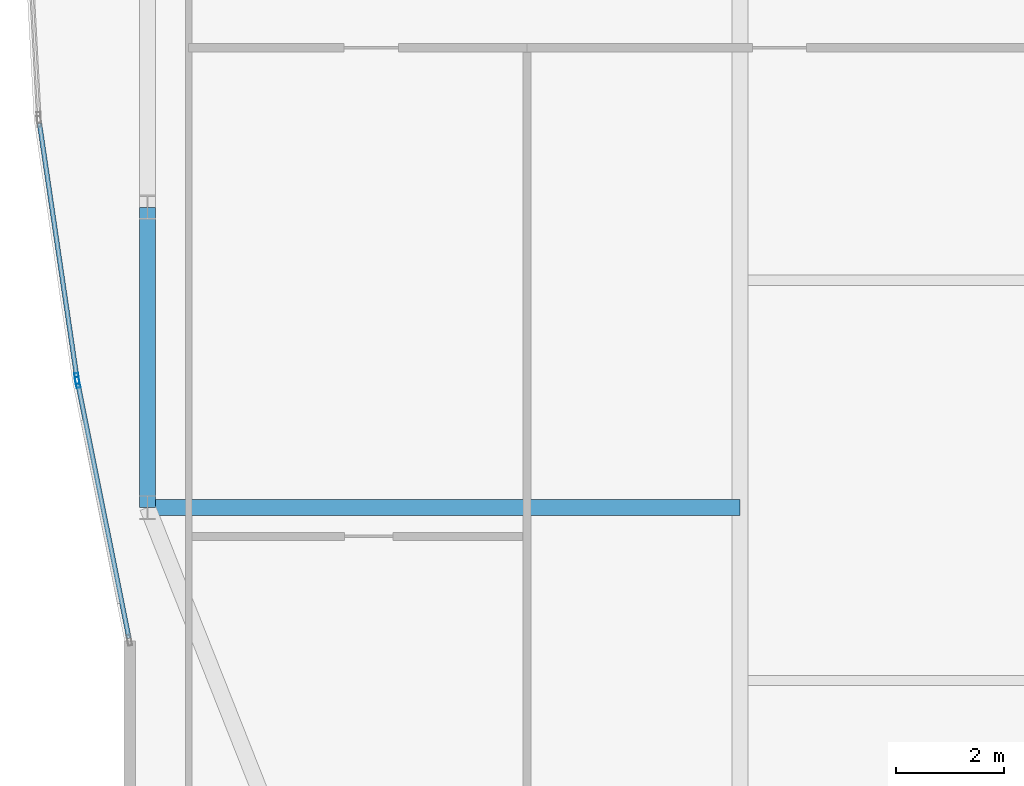
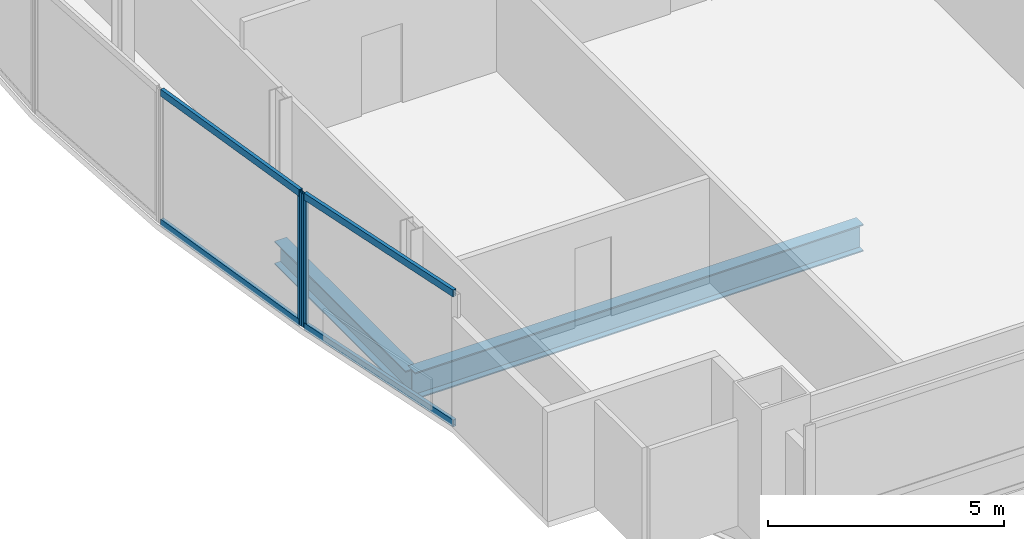
# One storey, part 6 of 30: 6 members, 2 beams, 2 elements without a shape of their own.
"""IFC4 building model written with IfcOpenShell, lengths in metres."""

from ifc_helpers import new_model, si_unit, direction, frame, origin, origin_2d, place, context, subcontext, project, spatial, hollow_rectangle, i_section, extrude, material, material_profile, profile_set, type_object, element, aggregate, save


model = new_model("IFC4")

# Units and contexts
model_context = context("Model", 3, precision=1e-05, world=origin(), true_north=direction((0.0, 1.0)))
body_context = subcontext(model_context, "Body", "Model", "MODEL_VIEW")
ifc_project = project(units=[si_unit("LENGTHUNIT", "METRE"), si_unit("AREAUNIT", "SQUARE_METRE"), si_unit("VOLUMEUNIT", "CUBIC_METRE"), si_unit("PLANEANGLEUNIT", "RADIAN"), si_unit("MASSUNIT", "GRAM", prefix="KILO")], contexts=[model_context])

# Site, building, storey
site_placement = place(None, origin())
site = spatial("IfcSite", under=ifc_project, at=site_placement, CompositionType="ELEMENT")
building_placement = place(site_placement, origin())
building = spatial("IfcBuilding", under=site, at=building_placement, Name="Khoronbel Lancet Exchange", CompositionType="ELEMENT")
storey_placement = place(building_placement, frame((0.0, 0.0, 206.60009765625)))
storey = spatial("IfcBuildingStorey", under=building, at=storey_placement, Name="L52", CompositionType="ELEMENT", Elevation=206.60009765625)

# Beams
ifc_material_1 = material(Name="Steel S355", Category="steel")
ifc_material_profile_1 = material_profile(ifc_material_1, i_section(OverallWidth=0.300048828125, OverallDepth=0.699951171875, WebThickness=0.01708984375, FlangeThickness=0.031982421875, at=origin_2d()), Name="HEB 700")
ifc_profile_set_1 = profile_set([ifc_material_profile_1], Name="Steel S355")
beam_type_1 = type_object("IfcBeamType", Name="BM-BG3", PredefinedType="BEAM", material=ifc_profile_set_1)
beam_1_placement = place(storey_placement, frame((7.27001953125, 19.199951171875, -0.510009765625), z_axis=(1.0, 0.0, 0.0), x_axis=(0.0, 1.0, 0.0)))
element("IfcBeam", 1, at=beam_1_placement, inside=storey, type_object=beam_type_1, Name="Level L52 west lens tie girder LG1W", PredefinedType="BEAM", context=body_context, shape_type="SweptSolid", body=[
    extrude(i_section(OverallWidth=0.300048828125, OverallDepth=0.699951171875, WebThickness=0.01708984375, FlangeThickness=0.031982421875, at=origin_2d()), origin(), (0.0, 0.0, 1.0), 10.955078125),
])
ifc_material_profile_2 = material_profile(ifc_material_1, i_section(OverallWidth=0.300048828125, OverallDepth=0.60009765625, WebThickness=0.015380859375, FlangeThickness=0.030029296875, at=origin_2d()), Name="HEB 600")
ifc_profile_set_2 = profile_set([ifc_material_profile_2], Name="Steel S355")
beam_type_2 = type_object("IfcBeamType", Name="BM-BSP2", PredefinedType="SPANDREL", material=ifc_profile_set_2)
beam_2_placement = place(storey_placement, frame((7.27001953125, 24.75, -0.460205078125), z_axis=(0.0, -1.0, 0.0), x_axis=(1.0, 0.0, 0.0)))
element("IfcBeam", 2, at=beam_2_placement, inside=storey, type_object=beam_type_2, Name="Level L52 perimeter spandrel beam SP20", PredefinedType="SPANDREL", context=body_context, shape_type="SweptSolid", body=[
    extrude(i_section(OverallWidth=0.300048828125, OverallDepth=0.60009765625, WebThickness=0.015380859375, FlangeThickness=0.030029296875, at=origin_2d()), origin(), (0.0, 0.0, 1.0), 5.550048828125),
])

# Curtain wall, member
ifc_material_2 = material(Name="Low-E Solar Control Insulating Glass", Category="glass")
curtain_wall_type = type_object("IfcCurtainWallType", Name="CW-4", PredefinedType="NOTDEFINED", material=ifc_material_2)
curtain_wall_1_placement = place(storey_placement, origin())
curtain_wall_1 = element("IfcCurtainWall", 3, at=curtain_wall_1_placement, inside=storey, type_object=curtain_wall_type, Name="Unitised curtain wall CW-L52-E04", PredefinedType="NOTDEFINED")
ifc_material_3 = material(Name="Bronze-Anodised Aluminium 6063-T6", Category="aluminium")
ifc_material_profile_3 = material_profile(ifc_material_3, hollow_rectangle(XDim=0.074951171875, YDim=0.199951171875, WallThickness=0.0048828125, at=origin_2d()), Name="ALU MULLION 75x200")
ifc_profile_set_3 = profile_set([ifc_material_profile_3], Name="Bronze-Anodised Aluminium 6063-T6")
member_type_1 = type_object("IfcMemberType", Name="MEM-CWM2", PredefinedType="MULLION", material=ifc_profile_set_3)
member_1_placement = place(storey_placement, frame((5.97607421875, 21.511962890625, 0.0), z_axis=(0.0, 0.0, 1.0), x_axis=(-0.980454248694, -0.196747214001, 0.0)))
member_1 = element("IfcMember", 4, at=member_1_placement, type_object=member_type_1, Name="CW4 mullion 2", PredefinedType="MULLION", context=body_context, shape_type="SweptSolid", body=[
    extrude(hollow_rectangle(XDim=0.074951171875, YDim=0.199951171875, WallThickness=0.0048828125, at=origin_2d()), origin(), (0.0, 0.0, 1.0), 3.43994140625),
])

curtain_wall_2_placement = place(storey_placement, origin())
curtain_wall_2 = element("IfcCurtainWall", 5, at=curtain_wall_2_placement, inside=storey, type_object=curtain_wall_type, Name="Unitised curtain wall CW-L52-E05", PredefinedType="NOTDEFINED")
member_2_placement = place(storey_placement, frame((5.96337890625, 21.585693359375, 0.0), z_axis=(0.0, 0.0, 1.0), x_axis=(-0.989378391213, -0.145362990476, 0.0)))
member_2 = element("IfcMember", 6, at=member_2_placement, type_object=member_type_1, Name="CW4 mullion 1", PredefinedType="MULLION", context=body_context, shape_type="SweptSolid", body=[
    extrude(hollow_rectangle(XDim=0.074951171875, YDim=0.199951171875, WallThickness=0.0048828125, at=origin_2d()), origin(), (0.0, 0.0, 1.0), 3.43994140625),
])

# Member
ifc_material_profile_4 = material_profile(ifc_material_3, hollow_rectangle(XDim=0.0849609375, YDim=0.179931640625, WallThickness=0.0048828125, at=origin_2d()), Name="ALU TRANSOM 85x180")
ifc_profile_set_4 = profile_set([ifc_material_profile_4], Name="Bronze-Anodised Aluminium 6063-T6")
member_type_2 = type_object("IfcMemberType", Name="MEM-CWT1", PredefinedType="USERDEFINED", material=ifc_profile_set_4)
member_3_placement = place(storey_placement, frame((6.92529296875, 16.782470703125, 0.04248046875), z_axis=(-0.196743905015, 0.980454912701, 0.0), x_axis=(-0.980454912701, -0.196743905015, 0.0)))
member_3 = element("IfcMember", 7, at=member_3_placement, type_object=member_type_2, Name="CW4 transom 1.1", ObjectType="TRANSOM", PredefinedType="USERDEFINED", context=body_context, shape_type="SweptSolid", body=[
    extrude(hollow_rectangle(XDim=0.0849609375, YDim=0.179931640625, WallThickness=0.0048828125, at=origin_2d()), origin(), (0.0, 0.0, 1.0), 4.7861328125),
])

member_4_placement = place(storey_placement, frame((6.92529296875, 16.782470703125, 3.3974609375), z_axis=(-0.196743905015, 0.980454912701, 0.0), x_axis=(-0.980454912701, -0.196743905015, 0.0)))
member_4 = element("IfcMember", 8, at=member_4_placement, type_object=member_type_2, Name="CW4 transom 1.2", ObjectType="TRANSOM", PredefinedType="USERDEFINED", context=body_context, shape_type="SweptSolid", body=[
    extrude(hollow_rectangle(XDim=0.0849609375, YDim=0.179931640625, WallThickness=0.0048828125, at=origin_2d()), origin(), (0.0, 0.0, 1.0), 4.7861328125),
])

aggregate(curtain_wall_1, [member_1, member_3, member_4])

member_5_placement = place(storey_placement, frame((5.9580078125, 21.622802734375, 0.04248046875), z_axis=(-0.145381031361, 0.989375740414, 0.0), x_axis=(-0.989375740414, -0.145381031361, 0.0)))
member_5 = element("IfcMember", 9, at=member_5_placement, type_object=member_type_2, Name="CW4 transom 1.1", ObjectType="TRANSOM", PredefinedType="USERDEFINED", context=body_context, shape_type="SweptSolid", body=[
    extrude(hollow_rectangle(XDim=0.0849609375, YDim=0.179931640625, WallThickness=0.0048828125, at=origin_2d()), origin(), (0.0, 0.0, 1.0), 4.72900390625),
])

member_6_placement = place(storey_placement, frame((5.9580078125, 21.622802734375, 3.3974609375), z_axis=(-0.145381031361, 0.989375740414, 0.0), x_axis=(-0.989375740414, -0.145381031361, 0.0)))
member_6 = element("IfcMember", 10, at=member_6_placement, type_object=member_type_2, Name="CW4 transom 1.2", ObjectType="TRANSOM", PredefinedType="USERDEFINED", context=body_context, shape_type="SweptSolid", body=[
    extrude(hollow_rectangle(XDim=0.0849609375, YDim=0.179931640625, WallThickness=0.0048828125, at=origin_2d()), origin(), (0.0, 0.0, 1.0), 4.72900390625),
])

aggregate(curtain_wall_2, [member_2, member_5, member_6])

save(model, "model.ifc")
